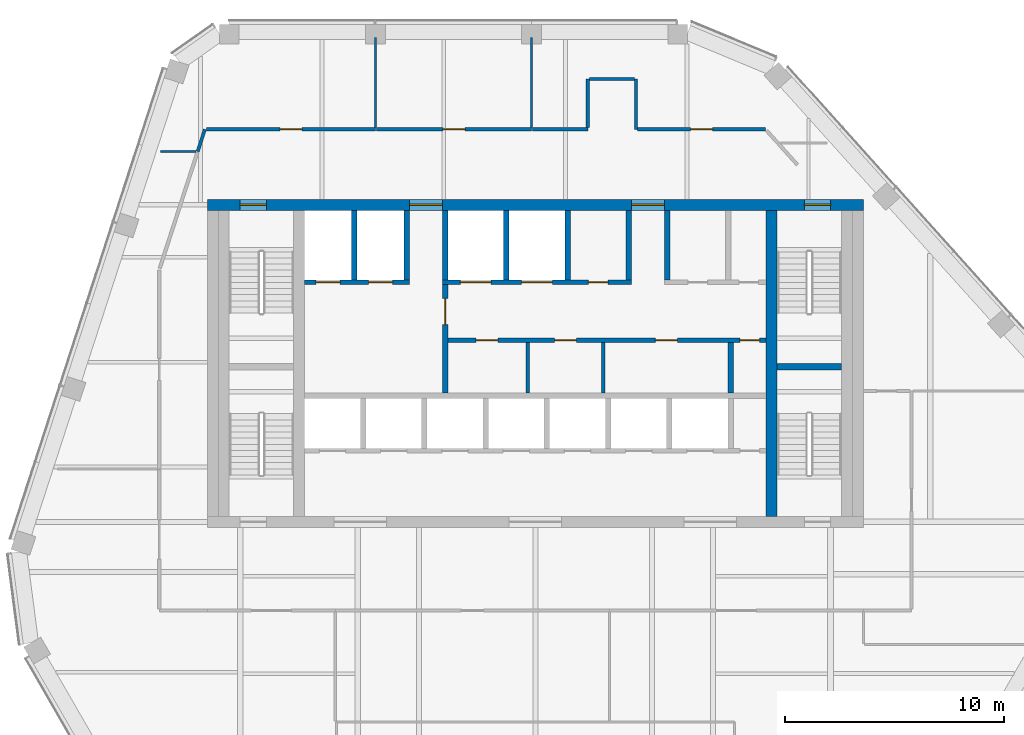
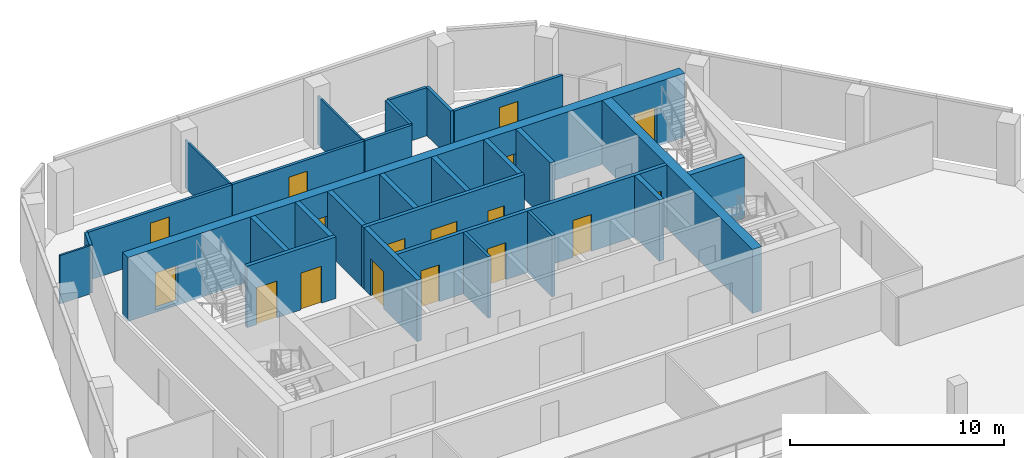
# One storey, part 9 of 15: 28 walls, 17 doors, 17 openings.
"""IFC4 building model written with IfcOpenShell, lengths in metres."""

from ifc_helpers import new_model, si_unit, direction, frame, frame_2d, origin, place, context, subcontext, project, spatial, rectangle, extrude, material, layer, layer_set, type_object, element, fill, save


model = new_model("IFC4")

# Units and contexts
model_context = context("Model", 3, precision=1e-05, world=origin(), true_north=direction((0.0, 1.0)))
body_context = subcontext(model_context, "Body", "Model", "MODEL_VIEW")
ifc_project = project(units=[si_unit("LENGTHUNIT", "METRE"), si_unit("AREAUNIT", "SQUARE_METRE"), si_unit("VOLUMEUNIT", "CUBIC_METRE"), si_unit("PLANEANGLEUNIT", "RADIAN"), si_unit("MASSUNIT", "GRAM", prefix="KILO")], contexts=[model_context])

# Site, building, storey
site_placement = place(None, origin())
site = spatial("IfcSite", under=ifc_project, at=site_placement, CompositionType="ELEMENT")
building_placement = place(site_placement, origin())
building = spatial("IfcBuilding", under=site, at=building_placement, Name="Isthmus Gate Tower", CompositionType="ELEMENT")
storey_placement = place(building_placement, frame((0.0, 0.0, 275.550048828125)))
storey = spatial("IfcBuildingStorey", under=building, at=storey_placement, Name="L70", CompositionType="ELEMENT", Elevation=275.550048828125)

# Walls
ifc_material_1 = material(Name="Gypsum board on steel studs, fire-rated", Category="steel")
ifc_layer_1 = layer(ifc_material_1, 0.14990234375)
ifc_layer_set_1 = layer_set([ifc_layer_1], Name="CORRIDOR WALL 150 60 MIN")
wall_type_1 = type_object("IfcWallType", Name="CORRIDOR WALL 150 60 MIN", PredefinedType="PARTITIONING", material=ifc_layer_set_1)
wall_1_placement = place(storey_placement, frame((4.60009765625, 20.5, 0.0), z_axis=(0.0, 0.0, 1.0), x_axis=(0.0, -1.0, 0.0)))
element("IfcWall", 1, at=wall_1_placement, inside=storey, type_object=wall_type_1, Name="L70 Corridor Wall 150 60 Min", PredefinedType="PARTITIONING", context=body_context, shape_type="SweptSolid", body=[
    extrude(rectangle(XDim=2.300048828125, YDim=0.14990234375, at=frame_2d((1.14990234375, 0.0))), origin(), (0.0, 0.0, 1.0), 2.750732421875),
])
wall_2_placement = place(storey_placement, frame((-15.44189453125, 17.18701171875, 0.0), z_axis=(0.0, 0.0, 1.0), x_axis=(0.308790594164, 0.951130048393, 0.0)))
element("IfcWall", 2, at=wall_2_placement, inside=storey, type_object=wall_type_1, Name="L70 Corridor Wall 150 60 Min", PredefinedType="PARTITIONING", context=body_context, shape_type="SweptSolid", body=[
    extrude(rectangle(XDim=1.06494140625, YDim=0.14990234375, at=frame_2d((0.532470703125, 0.0))), origin(), (0.0, 0.0, 1.0), 2.750732421875),
])

# Wall, opening, door
wall_3_placement = place(storey_placement, frame((-15.0380859375, 18.199951171875, 0.0), z_axis=(0.0, 0.0, 1.0), x_axis=(1.0, 0.0, 0.0)))
wall_3 = element("IfcWall", 3, at=wall_3_placement, inside=storey, type_object=wall_type_1, Name="L70 Corridor Wall 150 60 Min", PredefinedType="PARTITIONING", context=body_context, shape_type="SweptSolid", body=[
    extrude(rectangle(XDim=7.72802734375, YDim=0.14990234375, at=frame_2d((3.864013671875, 0.0))), origin(), (0.0, 0.0, 1.0), 2.750732421875),
])
opening_1_placement = place(wall_3_placement, frame((3.364013671875, 0.0, 0.0)))
opening_1 = element("IfcOpeningElement", 4, at=opening_1_placement, cuts=wall_3, Name="Opening DT-T6B-01", PredefinedType="OPENING", context=body_context, shape_type="SweptSolid", body=[
    extrude(rectangle(XDim=1.0, YDim=2.10009765625, at=frame_2d((0.5, 1.050048828125))), frame((0.0, 0.0849609375, 0.0), z_axis=(0.0, -1.0, 0.0), x_axis=(1.0, 0.0, 0.0)), (0.0, 0.0, 1.0), 0.169921875),
])
ifc_material_2 = material(Name="Solid core timber door leaf, fire-rated", Category="wood")
door_type_1 = type_object("IfcDoorType", Name="FIRE DOOR ROOM 1000 X 2100 60 MIN", OperationType="SINGLE_SWING_LEFT", PredefinedType="DOOR", material=ifc_material_2)
door_1_placement = place(opening_1_placement, origin())
door_1 = element("IfcDoor", 5, at=door_1_placement, inside=storey, type_object=door_type_1, Name="L70 room door", OperationType="SINGLE_SWING_RIGHT", OverallHeight=2.10009765625, OverallWidth=1.0, PredefinedType="DOOR", context=body_context, shape_type="SweptSolid", body=[
    extrude(rectangle(XDim=1.0, YDim=2.10009765625, at=frame_2d((0.5, 1.050048828125))), frame((0.0, 0.02490234375, 0.0), z_axis=(0.0, -1.0, 0.0), x_axis=(1.0, 0.0, 0.0)), (0.0, 0.0, 1.0), 0.050048828125),
])
fill(opening_1, door_1)

wall_4_placement = place(storey_placement, frame((-7.260009765625, 18.199951171875, 0.0), z_axis=(0.0, 0.0, 1.0), x_axis=(1.0, 0.0, 0.0)))
wall_4 = element("IfcWall", 6, at=wall_4_placement, inside=storey, type_object=wall_type_1, Name="L70 Corridor Wall 150 60 Min", PredefinedType="PARTITIONING", context=body_context, shape_type="SweptSolid", body=[
    extrude(rectangle(XDim=7.0849609375, YDim=0.14990234375, at=frame_2d((3.54248046875, 0.0))), origin(), (0.0, 0.0, 1.0), 2.750732421875),
])
opening_2_placement = place(wall_4_placement, frame((3.04248046875, 0.0, 0.0)))
opening_2 = element("IfcOpeningElement", 7, at=opening_2_placement, cuts=wall_4, Name="Opening DT-T6B-02", PredefinedType="OPENING", context=body_context, shape_type="SweptSolid", body=[
    extrude(rectangle(XDim=1.0, YDim=2.10009765625, at=frame_2d((0.5, 1.050048828125))), frame((0.0, 0.0849609375, 0.0), z_axis=(0.0, -1.0, 0.0), x_axis=(1.0, 0.0, 0.0)), (0.0, 0.0, 1.0), 0.169921875),
])
door_2_placement = place(opening_2_placement, origin())
door_2 = element("IfcDoor", 8, at=door_2_placement, inside=storey, type_object=door_type_1, Name="L70 room door", OperationType="SINGLE_SWING_RIGHT", OverallHeight=2.10009765625, OverallWidth=1.0, PredefinedType="DOOR", context=body_context, shape_type="SweptSolid", body=[
    extrude(rectangle(XDim=1.0, YDim=2.10009765625, at=frame_2d((0.5, 1.050048828125))), frame((0.0, 0.02490234375, 0.0), z_axis=(0.0, -1.0, 0.0), x_axis=(1.0, 0.0, 0.0)), (0.0, 0.0, 1.0), 0.050048828125),
])
fill(opening_2, door_2)

# Walls
wall_5_placement = place(storey_placement, frame((-0.125, 18.199951171875, 0.0), z_axis=(0.0, 0.0, 1.0), x_axis=(1.0, 0.0, 0.0)))
element("IfcWall", 9, at=wall_5_placement, inside=storey, type_object=wall_type_1, Name="L70 Corridor Wall 150 60 Min", PredefinedType="PARTITIONING", context=body_context, shape_type="SweptSolid", body=[
    extrude(rectangle(XDim=2.52490234375, YDim=0.14990234375, at=frame_2d((1.262451171875, 0.0))), origin(), (0.0, 0.0, 1.0), 2.750732421875),
])
wall_6_placement = place(storey_placement, frame((2.39990234375, 18.27490234375, 0.0), z_axis=(0.0, 0.0, 1.0), x_axis=(0.0, 1.0, 0.0)))
element("IfcWall", 10, at=wall_6_placement, inside=storey, type_object=wall_type_1, Name="L70 Corridor Wall 150 60 Min", PredefinedType="PARTITIONING", context=body_context, shape_type="SweptSolid", body=[
    extrude(rectangle(XDim=2.22509765625, YDim=0.14990234375, at=frame_2d((1.112548828125, 0.0))), origin(), (0.0, 0.0, 1.0), 2.750732421875),
])
wall_7_placement = place(storey_placement, frame((2.47509765625, 20.5, 0.0), z_axis=(0.0, 0.0, 1.0), x_axis=(1.0, 0.0, 0.0)))
element("IfcWall", 11, at=wall_7_placement, inside=storey, type_object=wall_type_1, Name="L70 Corridor Wall 150 60 Min", PredefinedType="PARTITIONING", context=body_context, shape_type="SweptSolid", body=[
    extrude(rectangle(XDim=2.0498046875, YDim=0.14990234375, at=frame_2d((1.02490234375, 0.0))), origin(), (0.0, 0.0, 1.0), 2.750732421875),
])

# Wall, opening, door
wall_8_placement = place(storey_placement, frame((4.675048828125, 18.199951171875, 0.0), z_axis=(0.0, 0.0, 1.0), x_axis=(1.0, 0.0, 0.0)))
wall_8 = element("IfcWall", 12, at=wall_8_placement, inside=storey, type_object=wall_type_1, Name="L70 Corridor Wall 150 60 Min", PredefinedType="PARTITIONING", context=body_context, shape_type="SweptSolid", body=[
    extrude(rectangle(XDim=5.846923828125, YDim=0.14990234375, at=frame_2d((2.92333984375, 0.0))), origin(), (0.0, 0.0, 1.0), 2.750732421875),
])
opening_3_placement = place(wall_8_placement, frame((2.423583984375, 0.0, 0.0)))
opening_3 = element("IfcOpeningElement", 13, at=opening_3_placement, cuts=wall_8, Name="Opening DT-T6B-03", PredefinedType="OPENING", context=body_context, shape_type="SweptSolid", body=[
    extrude(rectangle(XDim=1.0, YDim=2.10009765625, at=frame_2d((0.5, 1.050048828125))), frame((0.0, 0.0849609375, 0.0), z_axis=(0.0, -1.0, 0.0), x_axis=(1.0, 0.0, 0.0)), (0.0, 0.0, 1.0), 0.169921875),
])
door_3_placement = place(opening_3_placement, origin())
door_3 = element("IfcDoor", 14, at=door_3_placement, inside=storey, type_object=door_type_1, Name="L70 room door", OperationType="SINGLE_SWING_RIGHT", OverallHeight=2.10009765625, OverallWidth=1.0, PredefinedType="DOOR", context=body_context, shape_type="SweptSolid", body=[
    extrude(rectangle(XDim=1.0, YDim=2.10009765625, at=frame_2d((0.5, 1.050048828125))), frame((0.0, 0.02490234375, 0.0), z_axis=(0.0, -1.0, 0.0), x_axis=(1.0, 0.0, 0.0)), (0.0, 0.0, 1.0), 0.050048828125),
])
fill(opening_3, door_3)

ifc_material_3 = material(Name="Fire-rated blockwork masonry, 15 MPa", Category="masonry")
ifc_layer_2 = layer(ifc_material_3, 0.25)
ifc_layer_set_2 = layer_set([ifc_layer_2], Name="FIRE-FIGHTING LOBBY WALL 250 90 MIN")
wall_type_2 = type_object("IfcWallType", Name="FIRE-FIGHTING LOBBY WALL 250 90 MIN", PredefinedType="PARTITIONING", material=ifc_layer_set_2)
wall_9_placement = place(storey_placement, frame((-4.125, 6.14990234375, 0.0), z_axis=(0.0, 0.0, 1.0), x_axis=(0.0, 1.0, 0.0)))
wall_9 = element("IfcWall", 15, at=wall_9_placement, inside=storey, type_object=wall_type_2, Name="L70 FIRE-FIGHTING LOBBY WALL 250 90 MIN", PredefinedType="PARTITIONING", context=body_context, shape_type="SweptSolid", body=[
    extrude(rectangle(XDim=4.9501953125, YDim=0.25, at=frame_2d((2.47509765625, 0.0))), origin(), (0.0, 0.0, 1.0), 3.5),
])
opening_4_placement = place(wall_9_placement, frame((3.125, 0.0, 0.0)))
opening_4 = element("IfcOpeningElement", 16, at=opening_4_placement, cuts=wall_9, Name="Opening DC-A20-01", PredefinedType="OPENING", context=body_context, shape_type="SweptSolid", body=[
    extrude(rectangle(XDim=1.199951171875, YDim=2.10009765625, at=frame_2d((0.60009765625, 1.050048828125))), frame((0.0, 0.135009765625, 0.0), z_axis=(0.0, -1.0, 0.0), x_axis=(1.0, 0.0, 0.0)), (0.0, 0.0, 1.0), 0.27001953125),
])
ifc_material_4 = material(Name="Steel door leaf, fire-rated", Category="steel")
door_type_2 = type_object("IfcDoorType", Name="LOBBY FIRE DOOR 1200 X 2100 90 MIN", OperationType="DOUBLE_DOOR_SINGLE_SWING", PredefinedType="DOOR", material=ifc_material_4)
door_4_placement = place(opening_4_placement, origin())
door_4 = element("IfcDoor", 17, at=door_4_placement, inside=storey, type_object=door_type_2, Name="Fire-fighting Lobby Door", OperationType="SINGLE_SWING_LEFT", OverallHeight=2.10009765625, OverallWidth=1.199951171875, PredefinedType="DOOR", context=body_context, shape_type="SweptSolid", body=[
    extrude(rectangle(XDim=1.199951171875, YDim=2.10009765625, at=frame_2d((0.60009765625, 1.050048828125))), frame((0.0, 0.02490234375, 0.0), z_axis=(0.0, -1.0, 0.0), x_axis=(1.0, 0.0, 0.0)), (0.0, 0.0, 1.0), 0.050048828125),
])
fill(opening_4, door_4)

# Wall
ifc_material_5 = material(Name="Concrete f'c 50 MPa", Category="concrete")
ifc_layer_3 = layer(ifc_material_5, 0.5)
ifc_layer_set_3 = layer_set([ifc_layer_3], Name="RC CORE SPINE WALL 500 F'C 50")
wall_type_3 = type_object("IfcWallType", Name="RC CORE SPINE WALL 500 F'C 50", PredefinedType="SOLIDWALL", material=ifc_layer_set_3)
wall_10_placement = place(storey_placement, frame((10.800048828125, 0.5, -0.150146484375), z_axis=(0.0, 0.0, 1.0), x_axis=(0.0, 1.0, 0.0)))
element("IfcWall", 18, at=wall_10_placement, inside=storey, type_object=wall_type_3, Name="str-corewall-L70-SPE", PredefinedType="SOLIDWALL", context=body_context, shape_type="SweptSolid", body=[
    extrude(rectangle(XDim=14.0, YDim=0.5, at=frame_2d((7.0, 0.0))), origin(), (0.0, 0.0, 1.0), 3.650146484375),
])

# Wall, openings, doors
ifc_material_6 = material(Name="Concrete f'c 50 MPa", Category="concrete")
ifc_layer_4 = layer(ifc_material_6, 0.5)
ifc_layer_set_4 = layer_set([ifc_layer_4], Name="RC CORE WALL 500 F'C 50")
wall_type_4 = type_object("IfcWallType", Name="RC CORE WALL 500 F'C 50", PredefinedType="SOLIDWALL", material=ifc_layer_set_4)
wall_11_placement = place(storey_placement, frame((-15.0, 14.75, -0.150146484375), z_axis=(0.0, 0.0, 1.0), x_axis=(1.0, 0.0, 0.0)))
wall_11 = element("IfcWall", 19, at=wall_11_placement, inside=storey, type_object=wall_type_4, Name="str-corewall-L70-N", PredefinedType="SOLIDWALL", context=body_context, shape_type="SweptSolid", body=[
    extrude(rectangle(XDim=30.0, YDim=0.5, at=frame_2d((15.0, 0.0))), origin(), (0.0, 0.0, 1.0), 3.650146484375),
])
opening_5_placement = place(wall_11_placement, frame((9.25, 0.0, 0.14990234375)))
opening_5 = element("IfcOpeningElement", 20, at=opening_5_placement, cuts=wall_11, Name="Opening DC-A20-13", PredefinedType="OPENING", context=body_context, shape_type="SweptSolid", body=[
    extrude(rectangle(XDim=1.5, YDim=2.10009765625, at=frame_2d((0.75, 1.050048828125))), frame((0.0, 0.260009765625, 0.0), z_axis=(0.0, -1.0, 0.0), x_axis=(1.0, 0.0, 0.0)), (0.0, 0.0, 1.0), 0.52001953125),
])
opening_6_placement = place(wall_11_placement, frame((19.39990234375, 0.0, 0.14990234375)))
opening_6 = element("IfcOpeningElement", 21, at=opening_6_placement, cuts=wall_11, Name="Opening DC-A20-14", PredefinedType="OPENING", context=body_context, shape_type="SweptSolid", body=[
    extrude(rectangle(XDim=1.5, YDim=2.10009765625, at=frame_2d((0.75, 1.050048828125))), frame((0.0, 0.260009765625, 0.0), z_axis=(0.0, -1.0, 0.0), x_axis=(1.0, 0.0, 0.0)), (0.0, 0.0, 1.0), 0.52001953125),
])
opening_7_placement = place(wall_11_placement, frame((1.5, 0.0, 0.14990234375)))
opening_7 = element("IfcOpeningElement", 22, at=opening_7_placement, cuts=wall_11, Name="Opening DC-A20-15", PredefinedType="OPENING", context=body_context, shape_type="SweptSolid", body=[
    extrude(rectangle(XDim=1.199951171875, YDim=2.10009765625, at=frame_2d((0.60009765625, 1.050048828125))), frame((0.0, 0.260009765625, 0.0), z_axis=(0.0, -1.0, 0.0), x_axis=(1.0, 0.0, 0.0)), (0.0, 0.0, 1.0), 0.52001953125),
])
opening_8_placement = place(wall_11_placement, frame((27.300048828125, 0.0, 0.14990234375)))
opening_8 = element("IfcOpeningElement", 23, at=opening_8_placement, cuts=wall_11, Name="Opening DC-A20-16", PredefinedType="OPENING", context=body_context, shape_type="SweptSolid", body=[
    extrude(rectangle(XDim=1.199951171875, YDim=2.10009765625, at=frame_2d((0.60009765625, 1.050048828125))), frame((0.0, 0.260009765625, 0.0), z_axis=(0.0, -1.0, 0.0), x_axis=(1.0, 0.0, 0.0)), (0.0, 0.0, 1.0), 0.52001953125),
])
ifc_material_7 = material(Name="Steel door leaf, fire-rated", Category="steel")
door_type_3 = type_object("IfcDoorType", Name="LOBBY FIRE DOOR 1500 X 2100 60 MIN", OperationType="DOUBLE_DOOR_SINGLE_SWING", PredefinedType="DOOR", material=ifc_material_7)
door_5_placement = place(opening_6_placement, origin())
door_5 = element("IfcDoor", 24, at=door_5_placement, inside=storey, type_object=door_type_3, Name="Lobby Door PN-E", OperationType="DOUBLE_DOOR_SINGLE_SWING", OverallHeight=2.10009765625, OverallWidth=1.5, PredefinedType="DOOR", context=body_context, shape_type="SweptSolid", body=[
    extrude(rectangle(XDim=1.5, YDim=2.10009765625, at=frame_2d((0.75, 1.050048828125))), frame((0.0, 0.02490234375, 0.0), z_axis=(0.0, -1.0, 0.0), x_axis=(1.0, 0.0, 0.0)), (0.0, 0.0, 1.0), 0.050048828125),
])
fill(opening_6, door_5)
ifc_material_8 = material(Name="Steel door leaf, fire-rated", Category="steel")
door_type_4 = type_object("IfcDoorType", Name="LOBBY FIRE DOOR 1500 X 2100 90 MIN", OperationType="DOUBLE_DOOR_SINGLE_SWING", PredefinedType="DOOR", material=ifc_material_8)
door_6_placement = place(opening_5_placement, origin())
door_6 = element("IfcDoor", 25, at=door_6_placement, inside=storey, type_object=door_type_4, Name="Lobby Door PN-W", OperationType="DOUBLE_DOOR_SINGLE_SWING", OverallHeight=2.10009765625, OverallWidth=1.5, PredefinedType="DOOR", context=body_context, shape_type="SweptSolid", body=[
    extrude(rectangle(XDim=1.5, YDim=2.10009765625, at=frame_2d((0.75, 1.050048828125))), frame((0.0, 0.02490234375, 0.0), z_axis=(0.0, -1.0, 0.0), x_axis=(1.0, 0.0, 0.0)), (0.0, 0.0, 1.0), 0.050048828125),
])
fill(opening_5, door_6)
ifc_material_9 = material(Name="Steel door leaf, fire-rated", Category="steel")
door_type_5 = type_object("IfcDoorType", Name="STAIR FIRE DOOR 1200 X 2100 90 MIN", OperationType="SINGLE_SWING_LEFT", PredefinedType="DOOR", material=ifc_material_9)
door_7_placement = place(opening_7_placement, origin())
door_7 = element("IfcDoor", 26, at=door_7_placement, inside=storey, type_object=door_type_5, Name="Exit Stair 1 Door", OperationType="SINGLE_SWING_RIGHT", OverallHeight=2.10009765625, OverallWidth=1.199951171875, PredefinedType="DOOR", context=body_context, shape_type="SweptSolid", body=[
    extrude(rectangle(XDim=1.199951171875, YDim=2.10009765625, at=frame_2d((0.60009765625, 1.050048828125))), frame((0.0, 0.02490234375, 0.0), z_axis=(0.0, -1.0, 0.0), x_axis=(1.0, 0.0, 0.0)), (0.0, 0.0, 1.0), 0.050048828125),
])
fill(opening_7, door_7)
door_8_placement = place(opening_8_placement, origin())
door_8 = element("IfcDoor", 27, at=door_8_placement, inside=storey, type_object=door_type_5, Name="Exit Stair 2 Door", OperationType="SINGLE_SWING_LEFT", OverallHeight=2.10009765625, OverallWidth=1.199951171875, PredefinedType="DOOR", context=body_context, shape_type="SweptSolid", body=[
    extrude(rectangle(XDim=1.199951171875, YDim=2.10009765625, at=frame_2d((0.60009765625, 1.050048828125))), frame((0.0, 0.02490234375, 0.0), z_axis=(0.0, -1.0, 0.0), x_axis=(1.0, 0.0, 0.0)), (0.0, 0.0, 1.0), 0.050048828125),
])
fill(opening_8, door_8)

# Walls
ifc_material_10 = material(Name="Gypsum board on steel studs, fire-rated", Category="steel")
ifc_layer_5 = layer(ifc_material_10, 0.10009765625)
ifc_layer_set_5 = layer_set([ifc_layer_5], Name="ROOM PARTITION 100 30 MIN")
wall_type_5 = type_object("IfcWallType", Name="ROOM PARTITION 100 30 MIN", PredefinedType="PARTITIONING", material=ifc_layer_set_5)
wall_12_placement = place(storey_placement, frame((-7.31005859375, 18.27490234375, 0.0), z_axis=(0.0, 0.0, 1.0), x_axis=(0.0, 1.0, 0.0)))
element("IfcWall", 28, at=wall_12_placement, inside=storey, type_object=wall_type_5, Name="L70 Room Partition 100 30 Min", PredefinedType="PARTITIONING", context=body_context, shape_type="SweptSolid", body=[
    extrude(rectangle(XDim=4.125, YDim=0.10009765625, at=frame_2d((2.0625, 0.0))), origin(), (0.0, 0.0, 1.0), 2.750732421875),
])
wall_13_placement = place(storey_placement, frame((-17.139892578125, 17.18701171875, 0.0), z_axis=(0.0, 0.0, 1.0), x_axis=(1.0, 0.0, 0.0)))
element("IfcWall", 29, at=wall_13_placement, inside=storey, type_object=wall_type_5, Name="L70 Room Partition 100 30 Min", PredefinedType="PARTITIONING", context=body_context, shape_type="SweptSolid", body=[
    extrude(rectangle(XDim=1.622802734375, YDim=0.10009765625, at=frame_2d((0.8115234375, 0.0))), origin(), (0.0, 0.0, 1.0), 2.750732421875),
])
wall_14_placement = place(storey_placement, frame((-0.175048828125, 18.27490234375, 0.0), z_axis=(0.0, 0.0, 1.0), x_axis=(0.0, 1.0, 0.0)))
element("IfcWall", 30, at=wall_14_placement, inside=storey, type_object=wall_type_5, Name="L70 Room Partition 100 30 Min", PredefinedType="PARTITIONING", context=body_context, shape_type="SweptSolid", body=[
    extrude(rectangle(XDim=4.125, YDim=0.10009765625, at=frame_2d((2.0625, 0.0))), origin(), (0.0, 0.0, 1.0), 2.750732421875),
])
ifc_material_11 = material(Name="Gypsum board on steel studs, fire-rated", Category="steel")
ifc_layer_6 = layer(ifc_material_11, 0.14990234375)
ifc_layer_set_6 = layer_set([ifc_layer_6], Name="ROOM PARTITION 150 60 MIN")
wall_type_6 = type_object("IfcWallType", Name="ROOM PARTITION 150 60 MIN", PredefinedType="PARTITIONING", material=ifc_layer_set_6)
for number, where, z_axis, x_axis, name in (
    (31, (-0.35009765625, 6.14990234375, 0.0), (0.0, 0.0, 1.0), (0.0, 1.0, 0.0), "L70 ROOM PARTITION 150 60 MIN"),
    (32, (3.10009765625, 6.14990234375, 0.0), (0.0, 0.0, 1.0), (0.0, 1.0, 0.0), "L70 ROOM PARTITION 150 60 MIN"),
):
    element("IfcWall", number, at=place(storey_placement, frame(where, z_axis=z_axis, x_axis=x_axis)), inside=storey, type_object=wall_type_6, Name=name, PredefinedType="PARTITIONING", context=body_context, shape_type="SweptSolid", body=[
        extrude(rectangle(XDim=2.300048828125, YDim=0.14990234375, at=frame_2d((1.14990234375, 0.0))), origin(), (0.0, 0.0, 1.0), 3.5),
    ])

# Wall, openings, doors
ifc_material_12 = material(Name="Fire-rated blockwork masonry, 15 MPa", Category="masonry")
ifc_layer_7 = layer(ifc_material_12, 0.199951171875)
ifc_layer_set_7 = layer_set([ifc_layer_7], Name="SHAFT FRONT WALL 200 120 MIN")
wall_type_7 = type_object("IfcWallType", Name="SHAFT FRONT WALL 200 120 MIN", PredefinedType="PARTITIONING", material=ifc_layer_set_7)
wall_15_placement = place(storey_placement, frame((-4.125, 8.550048828125, 0.0), z_axis=(0.0, 0.0, 1.0), x_axis=(1.0, 0.0, 0.0)))
wall_15 = element("IfcWall", 33, at=wall_15_placement, inside=storey, type_object=wall_type_7, Name="L70 SHAFT FRONT WALL 200 120 MIN", PredefinedType="PARTITIONING", context=body_context, shape_type="SweptSolid", body=[
    extrude(rectangle(XDim=14.675048828125, YDim=0.199951171875, at=frame_2d((7.33740234375, 0.0))), origin(), (0.0, 0.0, 1.0), 3.5),
])
opening_9_placement = place(wall_15_placement, frame((1.41259765625, 0.0, 0.0)))
opening_9 = element("IfcOpeningElement", 34, at=opening_9_placement, cuts=wall_15, Name="Opening DC-A20-03", PredefinedType="OPENING", context=body_context, shape_type="SweptSolid", body=[
    extrude(rectangle(XDim=1.0, YDim=2.10009765625, at=frame_2d((0.5, 1.050048828125))), frame((0.0, 0.10986328125, 0.0), z_axis=(0.0, -1.0, 0.0), x_axis=(1.0, 0.0, 0.0)), (0.0, 0.0, 1.0), 0.219970703125),
])
opening_10_placement = place(wall_15_placement, frame((5.0, 0.0, 0.0)))
opening_10 = element("IfcOpeningElement", 35, at=opening_10_placement, cuts=wall_15, Name="Opening DC-A20-04", PredefinedType="OPENING", context=body_context, shape_type="SweptSolid", body=[
    extrude(rectangle(XDim=1.0, YDim=2.10009765625, at=frame_2d((0.5, 1.050048828125))), frame((0.0, 0.10986328125, 0.0), z_axis=(0.0, -1.0, 0.0), x_axis=(1.0, 0.0, 0.0)), (0.0, 0.0, 1.0), 0.219970703125),
])
opening_11_placement = place(wall_15_placement, frame((9.612548828125, 0.0, 0.0)))
opening_11 = element("IfcOpeningElement", 36, at=opening_11_placement, cuts=wall_15, Name="Opening DC-A20-05", PredefinedType="OPENING", context=body_context, shape_type="SweptSolid", body=[
    extrude(rectangle(XDim=1.0, YDim=2.10009765625, at=frame_2d((0.5, 1.050048828125))), frame((0.0, 0.10986328125, 0.0), z_axis=(0.0, -1.0, 0.0), x_axis=(1.0, 0.0, 0.0)), (0.0, 0.0, 1.0), 0.219970703125),
])
opening_12_placement = place(wall_15_placement, frame((13.47509765625, 0.0, 0.0)))
opening_12 = element("IfcOpeningElement", 37, at=opening_12_placement, cuts=wall_15, Name="Opening DC-A20-06", PredefinedType="OPENING", context=body_context, shape_type="SweptSolid", body=[
    extrude(rectangle(XDim=0.89990234375, YDim=2.10009765625, at=frame_2d((0.449951171875, 1.050048828125))), frame((0.0, 0.10986328125, 0.0), z_axis=(0.0, -1.0, 0.0), x_axis=(1.0, 0.0, 0.0)), (0.0, 0.0, 1.0), 0.219970703125),
])
ifc_material_13 = material(Name="Steel door leaf, fire-rated", Category="steel")
door_type_6 = type_object("IfcDoorType", Name="FIRE DOOR 1000 X 2100 60 MIN", OperationType="SINGLE_SWING_LEFT", PredefinedType="DOOR", material=ifc_material_13)
door_9_placement = place(opening_9_placement, origin())
door_9 = element("IfcDoor", 38, at=door_9_placement, inside=storey, type_object=door_type_6, Name="WC Men Door", OperationType="SINGLE_SWING_LEFT", OverallHeight=2.10009765625, OverallWidth=1.0, PredefinedType="DOOR", context=body_context, shape_type="SweptSolid", body=[
    extrude(rectangle(XDim=1.0, YDim=2.10009765625, at=frame_2d((0.5, 1.050048828125))), frame((0.0, 0.02490234375, 0.0), z_axis=(0.0, -1.0, 0.0), x_axis=(1.0, 0.0, 0.0)), (0.0, 0.0, 1.0), 0.050048828125),
])
fill(opening_9, door_9)
door_10_placement = place(opening_10_placement, origin())
door_10 = element("IfcDoor", 39, at=door_10_placement, inside=storey, type_object=door_type_6, Name="WC Women Door", OperationType="SINGLE_SWING_RIGHT", OverallHeight=2.10009765625, OverallWidth=1.0, PredefinedType="DOOR", context=body_context, shape_type="SweptSolid", body=[
    extrude(rectangle(XDim=1.0, YDim=2.10009765625, at=frame_2d((0.5, 1.050048828125))), frame((0.0, 0.02490234375, 0.0), z_axis=(0.0, -1.0, 0.0), x_axis=(1.0, 0.0, 0.0)), (0.0, 0.0, 1.0), 0.050048828125),
])
fill(opening_10, door_10)
door_11_placement = place(opening_11_placement, origin())
door_11 = element("IfcDoor", 40, at=door_11_placement, inside=storey, type_object=door_type_6, Name="Accessible WC Door", OperationType="SINGLE_SWING_LEFT", OverallHeight=2.10009765625, OverallWidth=1.0, PredefinedType="DOOR", context=body_context, shape_type="SweptSolid", body=[
    extrude(rectangle(XDim=1.0, YDim=2.10009765625, at=frame_2d((0.5, 1.050048828125))), frame((0.0, 0.02490234375, 0.0), z_axis=(0.0, -1.0, 0.0), x_axis=(1.0, 0.0, 0.0)), (0.0, 0.0, 1.0), 0.050048828125),
])
fill(opening_11, door_11)
ifc_material_14 = material(Name="Steel door leaf, fire-rated", Category="steel")
door_type_7 = type_object("IfcDoorType", Name="RISER FIRE DOOR 900 X 2100 90 MIN", OperationType="SINGLE_SWING_LEFT", PredefinedType="DOOR", material=ifc_material_14)
door_12_placement = place(opening_12_placement, origin())
door_12 = element("IfcDoor", 41, at=door_12_placement, inside=storey, type_object=door_type_7, Name="Riser Door", OperationType="SINGLE_SWING_RIGHT", OverallHeight=2.10009765625, OverallWidth=0.89990234375, PredefinedType="DOOR", context=body_context, shape_type="SweptSolid", body=[
    extrude(rectangle(XDim=0.89990234375, YDim=2.10009765625, at=frame_2d((0.449951171875, 1.050048828125))), frame((0.0, 0.02490234375, 0.0), z_axis=(0.0, -1.0, 0.0), x_axis=(1.0, 0.0, 0.0)), (0.0, 0.0, 1.0), 0.050048828125),
])
fill(opening_12, door_12)

wall_16_placement = place(storey_placement, frame((-10.550048828125, 11.199951171875, 0.0), z_axis=(0.0, 0.0, 1.0), x_axis=(1.0, 0.0, 0.0)))
wall_16 = element("IfcWall", 42, at=wall_16_placement, inside=storey, type_object=wall_type_7, Name="L70 SHAFT FRONT WALL 200 120 MIN", PredefinedType="PARTITIONING", context=body_context, shape_type="SweptSolid", body=[
    extrude(rectangle(XDim=4.800048828125, YDim=0.199951171875, at=frame_2d((2.39990234375, 0.0))), origin(), (0.0, 0.0, 1.0), 3.5),
])
opening_13_placement = place(wall_16_placement, frame((0.52490234375, 0.0, 0.0)))
opening_13 = element("IfcOpeningElement", 43, at=opening_13_placement, cuts=wall_16, Name="Opening LD-LF1", PredefinedType="OPENING", context=body_context, shape_type="SweptSolid", body=[
    extrude(rectangle(XDim=1.10009765625, YDim=2.10009765625, at=frame_2d((0.550048828125, 1.050048828125))), frame((0.0, 0.10986328125, 0.0), z_axis=(0.0, -1.0, 0.0), x_axis=(1.0, 0.0, 0.0)), (0.0, 0.0, 1.0), 0.219970703125),
])
opening_14_placement = place(wall_16_placement, frame((2.925048828125, 0.0, 0.0)))
opening_14 = element("IfcOpeningElement", 44, at=opening_14_placement, cuts=wall_16, Name="Opening LD-LF2", PredefinedType="OPENING", context=body_context, shape_type="SweptSolid", body=[
    extrude(rectangle(XDim=1.10009765625, YDim=2.10009765625, at=frame_2d((0.550048828125, 1.050048828125))), frame((0.0, 0.10986328125, 0.0), z_axis=(0.0, -1.0, 0.0), x_axis=(1.0, 0.0, 0.0)), (0.0, 0.0, 1.0), 0.219970703125),
])
ifc_material_15 = material(Name="Stainless steel sliding leaf", Category="steel")
door_type_8 = type_object("IfcDoorType", Name="LIFT LANDING FIRE DOOR 1100 X 2100 90 MIN", OperationType="DOUBLE_DOOR_SLIDING", PredefinedType="DOOR", material=ifc_material_15)
door_13_placement = place(opening_13_placement, origin())
door_13 = element("IfcDoor", 45, at=door_13_placement, inside=storey, type_object=door_type_8, Name="Lift Landing Door LF1", OperationType="DOUBLE_DOOR_SLIDING", OverallHeight=2.10009765625, OverallWidth=1.10009765625, PredefinedType="DOOR", context=body_context, shape_type="SweptSolid", body=[
    extrude(rectangle(XDim=1.10009765625, YDim=2.10009765625, at=frame_2d((0.550048828125, 1.050048828125))), frame((0.0, 0.02490234375, 0.0), z_axis=(0.0, -1.0, 0.0), x_axis=(1.0, 0.0, 0.0)), (0.0, 0.0, 1.0), 0.050048828125),
])
fill(opening_13, door_13)
door_14_placement = place(opening_14_placement, origin())
door_14 = element("IfcDoor", 46, at=door_14_placement, inside=storey, type_object=door_type_8, Name="Lift Landing Door LF2", OperationType="DOUBLE_DOOR_SLIDING", OverallHeight=2.10009765625, OverallWidth=1.10009765625, PredefinedType="DOOR", context=body_context, shape_type="SweptSolid", body=[
    extrude(rectangle(XDim=1.10009765625, YDim=2.10009765625, at=frame_2d((0.550048828125, 1.050048828125))), frame((0.0, 0.02490234375, 0.0), z_axis=(0.0, -1.0, 0.0), x_axis=(1.0, 0.0, 0.0)), (0.0, 0.0, 1.0), 0.050048828125),
])
fill(opening_14, door_14)

wall_17_placement = place(storey_placement, frame((-4.25, 11.199951171875, 0.0), z_axis=(0.0, 0.0, 1.0), x_axis=(1.0, 0.0, 0.0)))
wall_17 = element("IfcWall", 47, at=wall_17_placement, inside=storey, type_object=wall_type_7, Name="L70 SHAFT FRONT WALL 200 120 MIN", PredefinedType="PARTITIONING", context=body_context, shape_type="SweptSolid", body=[
    extrude(rectangle(XDim=8.64990234375, YDim=0.199951171875, at=frame_2d((4.324951171875, 0.0))), origin(), (0.0, 0.0, 1.0), 3.5),
])
opening_15_placement = place(wall_17_placement, frame((0.824951171875, 0.0, 0.0)))
opening_15 = element("IfcOpeningElement", 48, at=opening_15_placement, cuts=wall_17, Name="Opening LD-LV1", PredefinedType="OPENING", context=body_context, shape_type="SweptSolid", body=[
    extrude(rectangle(XDim=1.39990234375, YDim=2.10009765625, at=frame_2d((0.699951171875, 1.050048828125))), frame((0.0, 0.10986328125, 0.0), z_axis=(0.0, -1.0, 0.0), x_axis=(1.0, 0.0, 0.0)), (0.0, 0.0, 1.0), 0.219970703125),
])
opening_16_placement = place(wall_17_placement, frame((3.625, 0.0, 0.0)))
opening_16 = element("IfcOpeningElement", 49, at=opening_16_placement, cuts=wall_17, Name="Opening LD-LV2", PredefinedType="OPENING", context=body_context, shape_type="SweptSolid", body=[
    extrude(rectangle(XDim=1.39990234375, YDim=2.10009765625, at=frame_2d((0.699951171875, 1.050048828125))), frame((0.0, 0.10986328125, 0.0), z_axis=(0.0, -1.0, 0.0), x_axis=(1.0, 0.0, 0.0)), (0.0, 0.0, 1.0), 0.219970703125),
])
opening_17_placement = place(wall_17_placement, frame((6.675048828125, 0.0, 0.0)))
opening_17 = element("IfcOpeningElement", 50, at=opening_17_placement, cuts=wall_17, Name="Opening DC-A20-07", PredefinedType="OPENING", context=body_context, shape_type="SweptSolid", body=[
    extrude(rectangle(XDim=0.89990234375, YDim=2.10009765625, at=frame_2d((0.449951171875, 1.050048828125))), frame((0.0, 0.10986328125, 0.0), z_axis=(0.0, -1.0, 0.0), x_axis=(1.0, 0.0, 0.0)), (0.0, 0.0, 1.0), 0.219970703125),
])
ifc_material_16 = material(Name="Steel door leaf, fire-rated", Category="steel")
door_type_9 = type_object("IfcDoorType", Name="FIRE DOOR 900 X 2100 60 MIN", OperationType="SINGLE_SWING_LEFT", PredefinedType="DOOR", material=ifc_material_16)
door_15_placement = place(opening_17_placement, origin())
door_15 = element("IfcDoor", 51, at=door_15_placement, inside=storey, type_object=door_type_9, Name="Janitor Store Door", OperationType="SINGLE_SWING_LEFT", OverallHeight=2.10009765625, OverallWidth=0.89990234375, PredefinedType="DOOR", context=body_context, shape_type="SweptSolid", body=[
    extrude(rectangle(XDim=0.89990234375, YDim=2.10009765625, at=frame_2d((0.449951171875, 1.050048828125))), frame((0.0, 0.02490234375, 0.0), z_axis=(0.0, -1.0, 0.0), x_axis=(1.0, 0.0, 0.0)), (0.0, 0.0, 1.0), 0.050048828125),
])
fill(opening_17, door_15)
ifc_material_17 = material(Name="Stainless steel sliding leaf", Category="steel")
door_type_10 = type_object("IfcDoorType", Name="LIFT LANDING FIRE DOOR 1400 X 2100 90 MIN", OperationType="DOUBLE_DOOR_SLIDING", PredefinedType="DOOR", material=ifc_material_17)
door_16_placement = place(opening_15_placement, origin())
door_16 = element("IfcDoor", 52, at=door_16_placement, inside=storey, type_object=door_type_10, Name="Lift Landing Door LV1", OperationType="DOUBLE_DOOR_SLIDING", OverallHeight=2.10009765625, OverallWidth=1.39990234375, PredefinedType="DOOR", context=body_context, shape_type="SweptSolid", body=[
    extrude(rectangle(XDim=1.39990234375, YDim=2.10009765625, at=frame_2d((0.699951171875, 1.050048828125))), frame((0.0, 0.02490234375, 0.0), z_axis=(0.0, -1.0, 0.0), x_axis=(1.0, 0.0, 0.0)), (0.0, 0.0, 1.0), 0.050048828125),
])
fill(opening_15, door_16)
door_17_placement = place(opening_16_placement, origin())
door_17 = element("IfcDoor", 53, at=door_17_placement, inside=storey, type_object=door_type_10, Name="Lift Landing Door LV2", OperationType="DOUBLE_DOOR_SLIDING", OverallHeight=2.10009765625, OverallWidth=1.39990234375, PredefinedType="DOOR", context=body_context, shape_type="SweptSolid", body=[
    extrude(rectangle(XDim=1.39990234375, YDim=2.10009765625, at=frame_2d((0.699951171875, 1.050048828125))), frame((0.0, 0.02490234375, 0.0), z_axis=(0.0, -1.0, 0.0), x_axis=(1.0, 0.0, 0.0)), (0.0, 0.0, 1.0), 0.050048828125),
])
fill(opening_16, door_17)

# Walls
ifc_material_18 = material(Name="Fire-rated blockwork masonry, 15 MPa", Category="masonry")
ifc_layer_8 = layer(ifc_material_18, 0.25)
ifc_layer_set_8 = layer_set([ifc_layer_8], Name="SHAFT WALL 250 120 MIN")
wall_type_8 = type_object("IfcWallType", Name="SHAFT WALL 250 120 MIN", PredefinedType="PARTITIONING", material=ifc_layer_set_8)
wall_18_placement = place(storey_placement, frame((8.925048828125, 6.14990234375, 0.0), z_axis=(0.0, 0.0, 1.0), x_axis=(0.0, 1.0, 0.0)))
element("IfcWall", 54, at=wall_18_placement, inside=storey, type_object=wall_type_8, Name="L70 SHAFT WALL 250 120 MIN", PredefinedType="PARTITIONING", context=body_context, shape_type="SweptSolid", body=[
    extrude(rectangle(XDim=2.300048828125, YDim=0.25, at=frame_2d((1.14990234375, 0.0))), origin(), (0.0, 0.0, 1.0), 3.5),
])
for number, where, z_axis, x_axis, name in (
    (55, (-8.27490234375, 11.300048828125, 0.0), (0.0, 0.0, 1.0), (0.0, 1.0, 0.0), "L70 SHAFT WALL 250 120 MIN"),
    (56, (-5.875, 11.300048828125, 0.0), (0.0, 0.0, 1.0), (0.0, 1.0, 0.0), "L70 SHAFT WALL 250 120 MIN"),
    (57, (-4.125, 11.300048828125, 0.0), (0.0, 0.0, 1.0), (0.0, 1.0, 0.0), "L70 SHAFT WALL 250 120 MIN"),
    (58, (-1.324951171875, 11.300048828125, 0.0), (0.0, 0.0, 1.0), (0.0, 1.0, 0.0), "L70 SHAFT WALL 250 120 MIN"),
    (59, (1.47509765625, 11.300048828125, 0.0), (0.0, 0.0, 1.0), (0.0, 1.0, 0.0), "L70 SHAFT WALL 250 120 MIN"),
    (60, (4.27490234375, 11.300048828125, 0.0), (0.0, 0.0, 1.0), (0.0, 1.0, 0.0), "L70 SHAFT WALL 250 120 MIN"),
    (61, (6.02490234375, 11.300048828125, 0.0), (0.0, 0.0, 1.0), (0.0, 1.0, 0.0), "L70 SHAFT WALL 250 120 MIN"),
):
    element("IfcWall", number, at=place(storey_placement, frame(where, z_axis=z_axis, x_axis=x_axis)), inside=storey, type_object=wall_type_8, Name=name, PredefinedType="PARTITIONING", context=body_context, shape_type="SweptSolid", body=[
        extrude(rectangle(XDim=3.199951171875, YDim=0.25, at=frame_2d((1.60009765625, 0.0))), origin(), (0.0, 0.0, 1.0), 3.5),
    ])
ifc_material_19 = material(Name="Concrete f'c 40 MPa", Category="concrete")
ifc_layer_9 = layer(ifc_material_19, 0.300048828125)
ifc_layer_set_9 = layer_set([ifc_layer_9], Name="STAIR ENCLOSURE WALL 300 180 MIN")
wall_type_9 = type_object("IfcWallType", Name="STAIR ENCLOSURE WALL 300 180 MIN", PredefinedType="SOLIDWALL", material=ifc_layer_set_9)
wall_19_placement = place(storey_placement, frame((11.050048828125, 7.35009765625, 0.0), z_axis=(0.0, 0.0, 1.0), x_axis=(1.0, 0.0, 0.0)))
element("IfcWall", 62, at=wall_19_placement, inside=storey, type_object=wall_type_9, Name="L70 STAIR ENCLOSURE WALL 300 180 MIN", PredefinedType="SOLIDWALL", context=body_context, shape_type="SweptSolid", body=[
    extrude(rectangle(XDim=2.949951171875, YDim=0.300048828125, at=frame_2d((1.47509765625, 0.0))), origin(), (0.0, 0.0, 1.0), 3.5),
])

save(model, "model.ifc")
